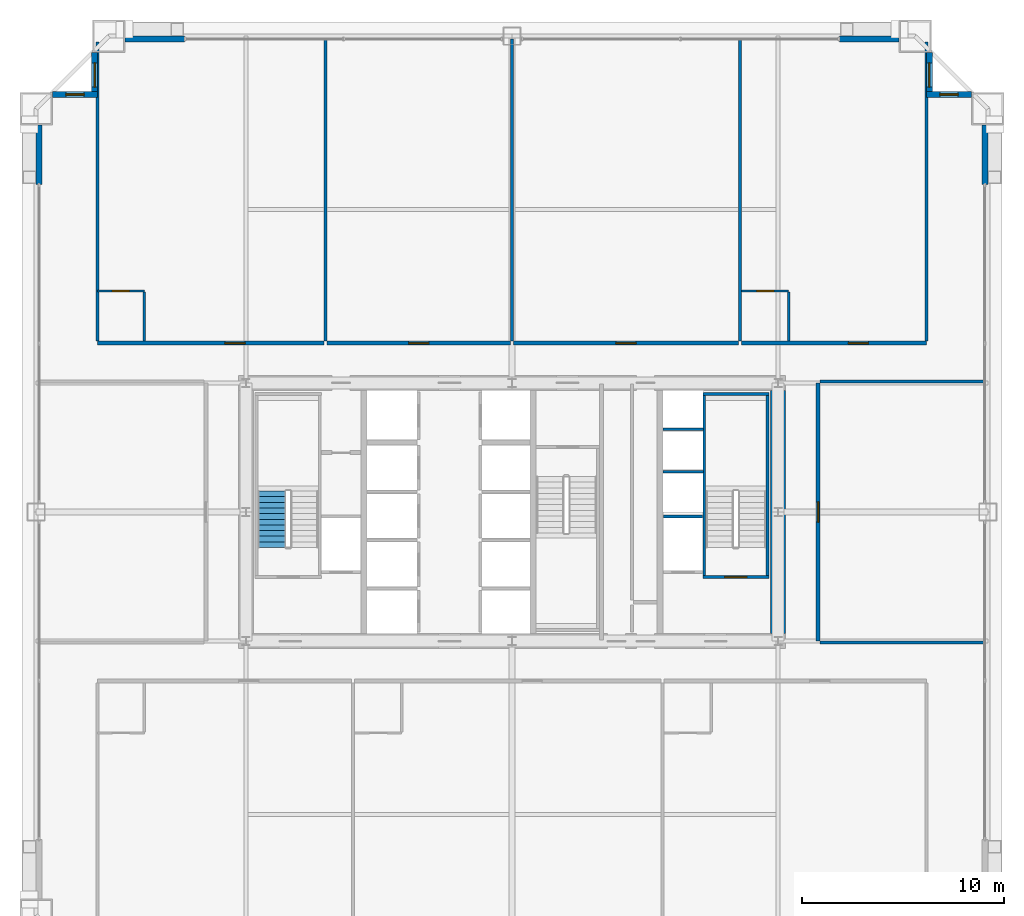
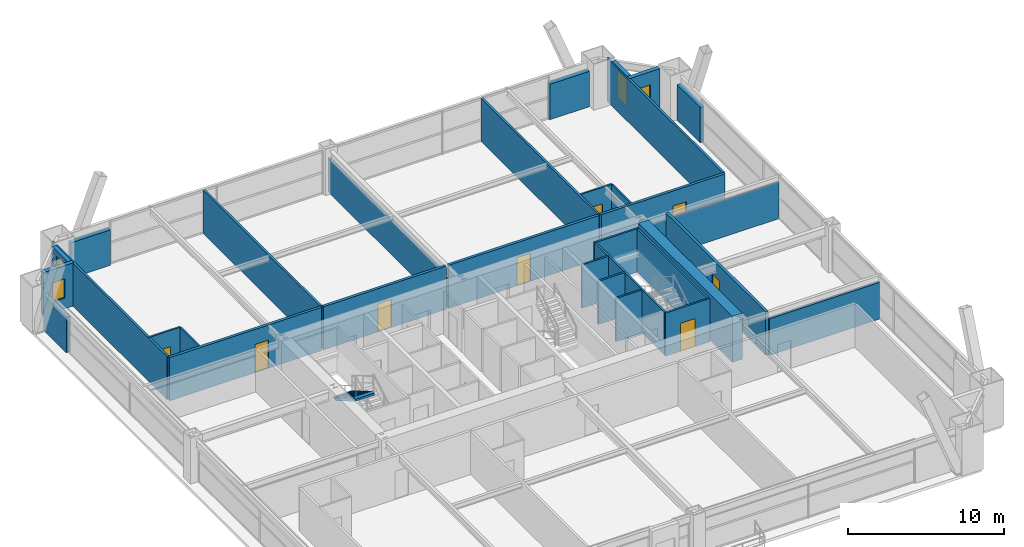
# One storey, part 41 of 43: 32 walls, 8 doors, 4 windows, 1 stair flight, 12 openings, 1 element without a shape of its own.
"""IFC4 building model written with IfcOpenShell, lengths in metres."""

from ifc_helpers import new_model, si_unit, direction, frame, frame_2d, origin, place, context, subcontext, project, spatial, polyline, rectangle, outline, extrude, source, transform, mapped, material, layer, layer_set, type_object, element, fill, aggregate, save


model = new_model("IFC4")

# Units and contexts
model_context = context("Model", 3, precision=1e-05, world=origin(), true_north=direction((0.0, 1.0)))
body_context = subcontext(model_context, "Body", "Model", "MODEL_VIEW")
ifc_project = project(units=[si_unit("LENGTHUNIT", "METRE"), si_unit("AREAUNIT", "SQUARE_METRE"), si_unit("VOLUMEUNIT", "CUBIC_METRE"), si_unit("PLANEANGLEUNIT", "RADIAN"), si_unit("MASSUNIT", "GRAM", prefix="KILO"), si_unit("THERMODYNAMICTEMPERATUREUNIT", "KELVIN"), si_unit("POWERUNIT", "WATT")], contexts=[model_context])

# Site, building, storey
site_placement = place(None, origin())
site = spatial("IfcSite", under=ifc_project, at=site_placement, CompositionType="ELEMENT")
building_placement = place(site_placement, origin())
building = spatial("IfcBuilding", under=site, at=building_placement, Name="Yuzanri Waterfront Tower", CompositionType="ELEMENT")
storey_placement = place(building_placement, frame((0.0, 0.0, 108.199951171875)))
storey = spatial("IfcBuildingStorey", under=building, at=storey_placement, Name="L28", CompositionType="ELEMENT", Elevation=108.199951171875)

# Wall, opening, door
ifc_material_1 = material(Name="Moisture-Resistant Gypsum Stud Wall", Category="gypsum")
ifc_layer_1 = layer(ifc_material_1, 0.1201171875)
ifc_layer_set_1 = layer_set([ifc_layer_1], Name="Moisture-Resistant Gypsum Stud Wall")
wall_type_1 = type_object("IfcWallType", Name="Bathroom and Kitchen Wet Partition 120", PredefinedType="PARTITIONING", material=ifc_layer_set_1)
wall_1_placement = place(storey_placement, frame((16.43994140625, 36.760009765625, 0.0), z_axis=(0.0, 0.0, 1.0), x_axis=(1.0, 0.0, 0.0)))
wall_1 = element("IfcWall", 1, at=wall_1_placement, inside=storey, type_object=wall_type_1, Name="L28 Partition UW-L28-N1-BN", PredefinedType="PARTITIONING", context=body_context, shape_type="SweptSolid", body=[
    extrude(rectangle(XDim=2.330078125, YDim=0.1201171875, at=frame_2d((1.1650390625, 0.0))), origin(), (0.0, 0.0, 1.0), 3.380126953125),
])
opening_1_placement = place(wall_1_placement, frame((0.739990234375, 0.0, 0.0)))
opening_1 = element("IfcOpeningElement", 2, at=opening_1_placement, cuts=wall_1, Name="Opening ID-0850", PredefinedType="OPENING", context=body_context, shape_type="SweptSolid", body=[
    extrude(rectangle(XDim=0.85009765625, YDim=2.10009765625, at=frame_2d((0.425048828125, 1.050048828125))), frame((0.0, 0.074951171875, 0.0), z_axis=(0.0, -1.0, 0.0), x_axis=(1.0, 0.0, 0.0)), (0.0, 0.0, 1.0), 0.14990234375),
])
ifc_material_2 = material(Name="Moisture-Resistant Lacquered Timber", Category="wood")
door_type_1 = type_object("IfcDoorType", Name="En-Suite Bathroom and Kitchen Swing Door 850x2100", OperationType="NOTDEFINED", PredefinedType="DOOR", material=ifc_material_2)
shared_shape_1 = source(origin(), body_context, "Body", "SweptSolid", [
    extrude(rectangle(XDim=0.85009765625, YDim=2.10009765625, at=frame_2d((0.425048828125, 1.050048828125))), frame((0.0, 0.02490234375, 0.0), z_axis=(0.0, -1.0, 0.0), x_axis=(1.0, 0.0, 0.0)), (0.0, 0.0, 1.0), 0.050048828125),
])
door_1_placement = place(opening_1_placement, origin())
door_1 = element("IfcDoor", 3, at=door_1_placement, inside=storey, type_object=door_type_1, Name="L28 Guest En-Suite Door", OperationType="SINGLE_SWING_LEFT", OverallHeight=2.10009765625, OverallWidth=0.85009765625, PredefinedType="DOOR", context=body_context, shape_type="MappedRepresentation", body=[
    mapped(shared_shape_1, transform((0.0, 0.0, 0.0), scale=1.0)),
])
fill(opening_1, door_1)

wall_2_placement = place(storey_placement, frame((48.387939453125, 36.760009765625, 0.0), z_axis=(0.0, 0.0, 1.0), x_axis=(1.0, 0.0, 0.0)))
wall_2 = element("IfcWall", 4, at=wall_2_placement, inside=storey, type_object=wall_type_1, Name="L28 Partition UW-L28-N4-BN", PredefinedType="PARTITIONING", context=body_context, shape_type="SweptSolid", body=[
    extrude(rectangle(XDim=2.330078125, YDim=0.1201171875, at=frame_2d((1.1650390625, 0.0))), origin(), (0.0, 0.0, 1.0), 3.380126953125),
])
opening_2_placement = place(wall_2_placement, frame((0.739990234375, 0.0, 0.0)))
opening_2 = element("IfcOpeningElement", 5, at=opening_2_placement, cuts=wall_2, Name="Opening ID-0850", PredefinedType="OPENING", context=body_context, shape_type="SweptSolid", body=[
    extrude(rectangle(XDim=0.85009765625, YDim=2.10009765625, at=frame_2d((0.425048828125, 1.050048828125))), frame((0.0, 0.074951171875, 0.0), z_axis=(0.0, -1.0, 0.0), x_axis=(1.0, 0.0, 0.0)), (0.0, 0.0, 1.0), 0.14990234375),
])
door_2_placement = place(opening_2_placement, origin())
door_2 = element("IfcDoor", 6, at=door_2_placement, inside=storey, type_object=door_type_1, Name="L28 Guest En-Suite Door", OperationType="SINGLE_SWING_LEFT", OverallHeight=2.10009765625, OverallWidth=0.85009765625, PredefinedType="DOOR", context=body_context, shape_type="MappedRepresentation", body=[
    mapped(shared_shape_1, transform((0.0, 0.0, 0.0), scale=1.0)),
])
fill(opening_2, door_2)

# Wall, opening, window
ifc_material_3 = material(Name="Honed Chongqing Dark Basalt Stone", Category="masonry")
ifc_layer_2 = layer(ifc_material_3, 0.300048828125)
ifc_layer_set_2 = layer_set([ifc_layer_2], Name="Honed Chongqing Dark Basalt Stone")
wall_type_2 = type_object("IfcWallType", Name="Bronze Rainscreen Insulated Spandrel Portal Wall 300", PredefinedType="SOLIDWALL", material=ifc_layer_set_2)
wall_3_placement = place(storey_placement, frame((16.449951171875, 46.5, 0.0), z_axis=(0.0, 0.0, 1.0), x_axis=(-1.0, 0.0, 0.0)))
wall_3 = element("IfcWall", 7, at=wall_3_placement, inside=storey, type_object=wall_type_2, Name="L28 Notched Corner Masonry Wall NW-X", PredefinedType="SOLIDWALL", context=body_context, shape_type="SweptSolid", body=[
    extrude(rectangle(XDim=2.25, YDim=0.300048828125, at=frame_2d((1.125, 0.0))), origin(), (0.0, 0.0, 1.0), 3.380126953125),
])
opening_3_placement = place(wall_3_placement, frame((0.675048828125, 0.0, 0.85009765625)))
opening_3 = element("IfcOpeningElement", 8, at=opening_3_placement, cuts=wall_3, Name="Opening WN-05", PredefinedType="OPENING", context=body_context, shape_type="SweptSolid", body=[
    extrude(rectangle(XDim=0.89990234375, YDim=1.5, at=frame_2d((0.449951171875, 0.75))), frame((0.0, 0.1650390625, 0.0), z_axis=(0.0, -1.0, 0.0), x_axis=(1.0, 0.0, 0.0)), (0.0, 0.0, 1.0), 0.329833984375),
])
ifc_material_4 = material(Name="Double-Silver Low-E Insulated Glass", Category="glass")
window_type_1 = type_object("IfcWindowType", Name="Anodized Bronze Service and Stairwell Smoke-Vent Window 900x1500", PartitioningType="SINGLE_PANEL", PredefinedType="WINDOW", material=ifc_material_4)
shared_shape_2 = source(origin(), body_context, "Body", "SweptSolid", [
    extrude(rectangle(XDim=0.89990234375, YDim=1.5, at=frame_2d((0.449951171875, 0.75))), frame((0.0, 0.030029296875, 0.0), z_axis=(0.0, -1.0, 0.0), x_axis=(1.0, 0.0, 0.0)), (0.0, 0.0, 1.0), 0.06005859375),
])
window_1_placement = place(opening_3_placement, origin())
window_1 = element("IfcWindow", 9, at=window_1_placement, inside=storey, type_object=window_type_1, Name="L28 Notched Corner Window NW-X", OverallHeight=1.5, OverallWidth=0.89990234375, PartitioningType="SINGLE_PANEL", PredefinedType="WINDOW", context=body_context, shape_type="MappedRepresentation", body=[
    mapped(shared_shape_2, transform((0.0, 0.0, 0.0), scale=1.0)),
])
fill(opening_3, window_1)

wall_4_placement = place(storey_placement, frame((16.300048828125, 48.60009765625, 0.0), z_axis=(0.0, 0.0, 1.0), x_axis=(0.0, -1.0, 0.0)))
wall_4 = element("IfcWall", 10, at=wall_4_placement, inside=storey, type_object=wall_type_2, Name="L28 Notched Corner Masonry Wall NW-Y", PredefinedType="SOLIDWALL", context=body_context, shape_type="SweptSolid", body=[
    extrude(rectangle(XDim=2.25, YDim=0.300048828125, at=frame_2d((1.125, 0.0))), origin(), (0.0, 0.0, 1.0), 3.380126953125),
])
opening_4_placement = place(wall_4_placement, frame((0.52490234375, 0.0, 0.85009765625)))
opening_4 = element("IfcOpeningElement", 11, at=opening_4_placement, cuts=wall_4, Name="Opening WN-02", PredefinedType="OPENING", context=body_context, shape_type="SweptSolid", body=[
    extrude(rectangle(XDim=1.199951171875, YDim=2.10009765625, at=frame_2d((0.60009765625, 1.050048828125))), frame((0.0, 0.1650390625, 0.0), z_axis=(0.0, -1.0, 0.0), x_axis=(1.0, 0.0, 0.0)), (0.0, 0.0, 1.0), 0.329833984375),
])
ifc_material_5 = material(Name="Double-Silver Low-E Insulated Glass", Category="glass")
window_type_2 = type_object("IfcWindowType", Name="Anodized Bronze Notched Corner Deep-Set Slot Window 1200x2100", PartitioningType="SINGLE_PANEL", PredefinedType="WINDOW", material=ifc_material_5)
shared_shape_3 = source(origin(), body_context, "Body", "SweptSolid", [
    extrude(rectangle(XDim=1.199951171875, YDim=2.10009765625, at=frame_2d((0.60009765625, 1.050048828125))), frame((0.0, 0.030029296875, 0.0), z_axis=(0.0, -1.0, 0.0), x_axis=(1.0, 0.0, 0.0)), (0.0, 0.0, 1.0), 0.06005859375),
])
window_2_placement = place(opening_4_placement, origin())
window_2 = element("IfcWindow", 12, at=window_2_placement, inside=storey, type_object=window_type_2, Name="L28 Notched Corner Window NW-Y", OverallHeight=2.10009765625, OverallWidth=1.199951171875, PartitioningType="SINGLE_PANEL", PredefinedType="WINDOW", context=body_context, shape_type="MappedRepresentation", body=[
    mapped(shared_shape_3, transform((0.0, 0.0, 0.0), scale=1.0)),
])
fill(opening_4, window_2)

wall_5_placement = place(storey_placement, frame((59.800048828125, 46.5, 0.0), z_axis=(0.0, 0.0, 1.0), x_axis=(-1.0, 0.0, 0.0)))
wall_5 = element("IfcWall", 13, at=wall_5_placement, inside=storey, type_object=wall_type_2, Name="L28 Notched Corner Masonry Wall NE-X", PredefinedType="SOLIDWALL", context=body_context, shape_type="SweptSolid", body=[
    extrude(rectangle(XDim=2.25, YDim=0.300048828125, at=frame_2d((1.125, 0.0))), origin(), (0.0, 0.0, 1.0), 3.380126953125),
])
opening_5_placement = place(wall_5_placement, frame((0.675048828125, 0.0, 0.85009765625)))
opening_5 = element("IfcOpeningElement", 14, at=opening_5_placement, cuts=wall_5, Name="Opening WN-05", PredefinedType="OPENING", context=body_context, shape_type="SweptSolid", body=[
    extrude(rectangle(XDim=0.89990234375, YDim=1.5, at=frame_2d((0.449951171875, 0.75))), frame((0.0, 0.1650390625, 0.0), z_axis=(0.0, -1.0, 0.0), x_axis=(1.0, 0.0, 0.0)), (0.0, 0.0, 1.0), 0.329833984375),
])
window_3_placement = place(opening_5_placement, origin())
window_3 = element("IfcWindow", 15, at=window_3_placement, inside=storey, type_object=window_type_1, Name="L28 Notched Corner Window NE-X", OverallHeight=1.5, OverallWidth=0.89990234375, PartitioningType="SINGLE_PANEL", PredefinedType="WINDOW", context=body_context, shape_type="MappedRepresentation", body=[
    mapped(shared_shape_2, transform((0.0, 0.0, 0.0), scale=1.0)),
])
fill(opening_5, window_3)

wall_6_placement = place(storey_placement, frame((57.699951171875, 46.35009765625, 0.0), z_axis=(0.0, 0.0, 1.0), x_axis=(0.0, 1.0, 0.0)))
wall_6 = element("IfcWall", 16, at=wall_6_placement, inside=storey, type_object=wall_type_2, Name="L28 Notched Corner Masonry Wall NE-Y", PredefinedType="SOLIDWALL", context=body_context, shape_type="SweptSolid", body=[
    extrude(rectangle(XDim=2.25, YDim=0.300048828125, at=frame_2d((1.125, 0.0))), origin(), (0.0, 0.0, 1.0), 3.380126953125),
])
opening_6_placement = place(wall_6_placement, frame((0.52490234375, 0.0, 0.85009765625)))
opening_6 = element("IfcOpeningElement", 17, at=opening_6_placement, cuts=wall_6, Name="Opening WN-02", PredefinedType="OPENING", context=body_context, shape_type="SweptSolid", body=[
    extrude(rectangle(XDim=1.199951171875, YDim=2.10009765625, at=frame_2d((0.60009765625, 1.050048828125))), frame((0.0, 0.1650390625, 0.0), z_axis=(0.0, -1.0, 0.0), x_axis=(1.0, 0.0, 0.0)), (0.0, 0.0, 1.0), 0.329833984375),
])
window_4_placement = place(opening_6_placement, origin())
window_4 = element("IfcWindow", 18, at=window_4_placement, inside=storey, type_object=window_type_2, Name="L28 Notched Corner Window NE-Y", OverallHeight=2.10009765625, OverallWidth=1.199951171875, PartitioningType="SINGLE_PANEL", PredefinedType="WINDOW", context=body_context, shape_type="MappedRepresentation", body=[
    mapped(shared_shape_3, transform((0.0, 0.0, 0.0), scale=1.0)),
])
fill(opening_6, window_4)

# Wall, opening, door
ifc_material_6 = material(Name="Concrete C40", Category="concrete")
ifc_layer_3 = layer(ifc_material_6, 0.139892578125)
ifc_layer_set_3 = layer_set([ifc_layer_3], Name="Concrete C40")
wall_type_3 = type_object("IfcWallType", Name="Core Stair Liner and Hoistway Shaft Wall 140", PredefinedType="SOLIDWALL", material=ifc_layer_set_3)
wall_7_placement = place(storey_placement, frame((46.4599609375, 22.570068359375, 0.0), z_axis=(0.0, 0.0, 1.0), x_axis=(1.0, 0.0, 0.0)))
wall_7 = element("IfcWall", 19, at=wall_7_placement, inside=storey, type_object=wall_type_3, Name="L28 Shaft Wall STW-L28-ST-02-S", PredefinedType="SOLIDWALL", context=body_context, shape_type="SweptSolid", body=[
    extrude(rectangle(XDim=3.280029296875, YDim=0.139892578125, at=frame_2d((1.64013671875, 0.0))), origin(), (0.0, 0.0, 1.0), 3.380126953125),
])
opening_7_placement = place(wall_7_placement, frame((1.090087890625, 0.0, 0.0)))
opening_7 = element("IfcOpeningElement", 20, at=opening_7_placement, cuts=wall_7, Name="Opening FD-1100", PredefinedType="OPENING", context=body_context, shape_type="SweptSolid", body=[
    extrude(rectangle(XDim=1.10009765625, YDim=2.199951171875, at=frame_2d((0.550048828125, 1.10009765625))), frame((0.0, 0.0849609375, 0.0), z_axis=(0.0, -1.0, 0.0), x_axis=(1.0, 0.0, 0.0)), (0.0, 0.0, 1.0), 0.169677734375),
])
ifc_material_7 = material(Name="Painted Galvanized Fire Steel", Category="steel")
door_type_2 = type_object("IfcDoorType", Name="Smoke-Proof Stair and Lobby Fire Door 1100x2200", OperationType="NOTDEFINED", PredefinedType="DOOR", material=ifc_material_7)
shared_shape_4 = source(origin(), body_context, "Body", "SweptSolid", [
    extrude(rectangle(XDim=1.10009765625, YDim=2.199951171875, at=frame_2d((0.550048828125, 1.10009765625))), frame((0.0, 0.02490234375, 0.0), z_axis=(0.0, -1.0, 0.0), x_axis=(1.0, 0.0, 0.0)), (0.0, 0.0, 1.0), 0.050048828125),
])
door_3_placement = place(opening_7_placement, origin())
door_3 = element("IfcDoor", 21, at=door_3_placement, inside=storey, type_object=door_type_2, Name="L28 Stair ST-02 Fire Door", OperationType="SINGLE_SWING_RIGHT", OverallHeight=2.199951171875, OverallWidth=1.10009765625, PredefinedType="DOOR", context=body_context, shape_type="MappedRepresentation", body=[
    mapped(shared_shape_4, transform((0.0, 0.0, 0.0), scale=1.0)),
])
fill(opening_7, door_3)

ifc_material_8 = material(Name="Autoclaved Aerated Concrete Blockwork", Category="masonry")
ifc_layer_4 = layer(ifc_material_8, 0.199951171875)
ifc_layer_set_4 = layer_set([ifc_layer_4], Name="Autoclaved Aerated Concrete Blockwork")
wall_type_4 = type_object("IfcWallType", Name="Corridor and Unit Party Fire Wall 200", PredefinedType="PARTITIONING", material=ifc_layer_set_4)
wall_8_placement = place(storey_placement, frame((16.43994140625, 34.179931640625, 0.0), z_axis=(0.0, 0.0, 1.0), x_axis=(1.0, 0.0, 0.0)))
wall_8 = element("IfcWall", 22, at=wall_8_placement, inside=storey, type_object=wall_type_4, Name="L28 Partition UW-L28-N1-CS", PredefinedType="PARTITIONING", context=body_context, shape_type="SweptSolid", body=[
    extrude(rectangle(XDim=11.22802734375, YDim=0.199951171875, at=frame_2d((5.614013671875, 0.0))), origin(), (0.0, 0.0, 1.0), 3.380126953125),
])
opening_8_placement = place(wall_8_placement, frame((6.319091796875, 0.0, 0.0)))
opening_8 = element("IfcOpeningElement", 23, at=opening_8_placement, cuts=wall_8, Name="Opening FD-1000", PredefinedType="OPENING", context=body_context, shape_type="SweptSolid", body=[
    extrude(rectangle(XDim=1.0, YDim=2.199951171875, at=frame_2d((0.5, 1.10009765625))), frame((0.0, 0.11474609375, 0.0), z_axis=(0.0, -1.0, 0.0), x_axis=(1.0, 0.0, 0.0)), (0.0, 0.0, 1.0), 0.229736328125),
])
ifc_material_9 = material(Name="Engineered Oak Fire-Rated Timber", Category="wood")
door_type_3 = type_object("IfcDoorType", Name="Guestroom and Apartment Entrance Fire Door 1000x2200", OperationType="NOTDEFINED", PredefinedType="DOOR", material=ifc_material_9)
shared_shape_5 = source(origin(), body_context, "Body", "SweptSolid", [
    extrude(rectangle(XDim=1.0, YDim=2.199951171875, at=frame_2d((0.5, 1.10009765625))), frame((0.0, 0.02490234375, 0.0), z_axis=(0.0, -1.0, 0.0), x_axis=(1.0, 0.0, 0.0)), (0.0, 0.0, 1.0), 0.050048828125),
])
door_4_placement = place(opening_8_placement, origin())
door_4 = element("IfcDoor", 24, at=door_4_placement, inside=storey, type_object=door_type_3, Name="L28 Cityview Executive Suite Entrance Door", OperationType="SINGLE_SWING_RIGHT", OverallHeight=2.199951171875, OverallWidth=1.0, PredefinedType="DOOR", context=body_context, shape_type="MappedRepresentation", body=[
    mapped(shared_shape_5, transform((0.0, 0.0, 0.0), scale=1.0)),
])
fill(opening_8, door_4)

wall_9_placement = place(storey_placement, frame((27.827880859375, 34.179931640625, 0.0), z_axis=(0.0, 0.0, 1.0), x_axis=(1.0, 0.0, 0.0)))
wall_9 = element("IfcWall", 25, at=wall_9_placement, inside=storey, type_object=wall_type_4, Name="L28 Partition UW-L28-N2-CS", PredefinedType="PARTITIONING", context=body_context, shape_type="SweptSolid", body=[
    extrude(rectangle(XDim=9.092041015625, YDim=0.199951171875, at=frame_2d((4.5458984375, 0.0))), origin(), (0.0, 0.0, 1.0), 3.380126953125),
])
opening_9_placement = place(wall_9_placement, frame((4.0458984375, 0.0, 0.0)))
opening_9 = element("IfcOpeningElement", 26, at=opening_9_placement, cuts=wall_9, Name="Opening FD-1000", PredefinedType="OPENING", context=body_context, shape_type="SweptSolid", body=[
    extrude(rectangle(XDim=1.0, YDim=2.199951171875, at=frame_2d((0.5, 1.10009765625))), frame((0.0, 0.11474609375, 0.0), z_axis=(0.0, -1.0, 0.0), x_axis=(1.0, 0.0, 0.0)), (0.0, 0.0, 1.0), 0.229736328125),
])
door_5_placement = place(opening_9_placement, origin())
door_5 = element("IfcDoor", 27, at=door_5_placement, inside=storey, type_object=door_type_3, Name="L28 Diplomatic Boardroom A Entrance Door", OperationType="SINGLE_SWING_RIGHT", OverallHeight=2.199951171875, OverallWidth=1.0, PredefinedType="DOOR", context=body_context, shape_type="MappedRepresentation", body=[
    mapped(shared_shape_5, transform((0.0, 0.0, 0.0), scale=1.0)),
])
fill(opening_9, door_5)

wall_10_placement = place(storey_placement, frame((37.080078125, 34.179931640625, 0.0), z_axis=(0.0, 0.0, 1.0), x_axis=(1.0, 0.0, 0.0)))
wall_10 = element("IfcWall", 28, at=wall_10_placement, inside=storey, type_object=wall_type_4, Name="L28 Partition UW-L28-N3-CS", PredefinedType="PARTITIONING", context=body_context, shape_type="SweptSolid", body=[
    extrude(rectangle(XDim=11.14794921875, YDim=0.199951171875, at=frame_2d((5.573974609375, 0.0))), origin(), (0.0, 0.0, 1.0), 3.380126953125),
])
opening_10_placement = place(wall_10_placement, frame((5.073974609375, 0.0, 0.0)))
opening_10 = element("IfcOpeningElement", 29, at=opening_10_placement, cuts=wall_10, Name="Opening FD-1000", PredefinedType="OPENING", context=body_context, shape_type="SweptSolid", body=[
    extrude(rectangle(XDim=1.0, YDim=2.199951171875, at=frame_2d((0.5, 1.10009765625))), frame((0.0, 0.11474609375, 0.0), z_axis=(0.0, -1.0, 0.0), x_axis=(1.0, 0.0, 0.0)), (0.0, 0.0, 1.0), 0.229736328125),
])
door_6_placement = place(opening_10_placement, origin())
door_6 = element("IfcDoor", 30, at=door_6_placement, inside=storey, type_object=door_type_3, Name="L28 Diplomatic Boardroom B Entrance Door", OperationType="SINGLE_SWING_LEFT", OverallHeight=2.199951171875, OverallWidth=1.0, PredefinedType="DOOR", context=body_context, shape_type="MappedRepresentation", body=[
    mapped(shared_shape_5, transform((0.0, 0.0, 0.0), scale=1.0)),
])
fill(opening_10, door_6)

wall_11_placement = place(storey_placement, frame((48.387939453125, 34.179931640625, 0.0), z_axis=(0.0, 0.0, 1.0), x_axis=(1.0, 0.0, 0.0)))
wall_11 = element("IfcWall", 31, at=wall_11_placement, inside=storey, type_object=wall_type_4, Name="L28 Partition UW-L28-N4-CS", PredefinedType="PARTITIONING", context=body_context, shape_type="SweptSolid", body=[
    extrude(rectangle(XDim=9.172119140625, YDim=0.199951171875, at=frame_2d((4.5859375, 0.0))), origin(), (0.0, 0.0, 1.0), 3.380126953125),
])
opening_11_placement = place(wall_11_placement, frame((5.291015625, 0.0, 0.0)))
opening_11 = element("IfcOpeningElement", 32, at=opening_11_placement, cuts=wall_11, Name="Opening FD-1000", PredefinedType="OPENING", context=body_context, shape_type="SweptSolid", body=[
    extrude(rectangle(XDim=1.0, YDim=2.199951171875, at=frame_2d((0.5, 1.10009765625))), frame((0.0, 0.11474609375, 0.0), z_axis=(0.0, -1.0, 0.0), x_axis=(1.0, 0.0, 0.0)), (0.0, 0.0, 1.0), 0.229736328125),
])
door_7_placement = place(opening_11_placement, origin())
door_7 = element("IfcDoor", 33, at=door_7_placement, inside=storey, type_object=door_type_3, Name="L28 Cityview Executive Suite Entrance Door", OperationType="SINGLE_SWING_RIGHT", OverallHeight=2.199951171875, OverallWidth=1.0, PredefinedType="DOOR", context=body_context, shape_type="MappedRepresentation", body=[
    mapped(shared_shape_5, transform((0.0, 0.0, 0.0), scale=1.0)),
])
fill(opening_11, door_7)

wall_12_placement = place(storey_placement, frame((52.179931640625, 19.409912109375, 0.0), z_axis=(0.0, 0.0, 1.0), x_axis=(0.0, 1.0, 0.0)))
wall_12 = element("IfcWall", 34, at=wall_12_placement, inside=storey, type_object=wall_type_4, Name="L28 Partition UW-L28-E1-CW", PredefinedType="PARTITIONING", context=body_context, shape_type="SweptSolid", body=[
    extrude(rectangle(XDim=12.780029296875, YDim=0.199951171875, at=frame_2d((6.39013671875, 0.0))), origin(), (0.0, 0.0, 1.0), 3.380126953125),
])
opening_12_placement = place(wall_12_placement, frame((5.889892578125, 0.0, 0.0)))
opening_12 = element("IfcOpeningElement", 35, at=opening_12_placement, cuts=wall_12, Name="Opening FD-1000", PredefinedType="OPENING", context=body_context, shape_type="SweptSolid", body=[
    extrude(rectangle(XDim=1.0, YDim=2.199951171875, at=frame_2d((0.5, 1.10009765625))), frame((0.0, 0.11474609375, 0.0), z_axis=(0.0, -1.0, 0.0), x_axis=(1.0, 0.0, 0.0)), (0.0, 0.0, 1.0), 0.229736328125),
])
door_8_placement = place(opening_12_placement, origin())
door_8 = element("IfcDoor", 36, at=door_8_placement, inside=storey, type_object=door_type_3, Name="L28 Executive Wellness Gym Studio Entrance Door", OperationType="SINGLE_SWING_LEFT", OverallHeight=2.199951171875, OverallWidth=1.0, PredefinedType="DOOR", context=body_context, shape_type="MappedRepresentation", body=[
    mapped(shared_shape_5, transform((0.0, 0.0, 0.0), scale=1.0)),
])
fill(opening_12, door_8)

# Walls
ifc_material_10 = material(Name="Concrete C55", Category="concrete")
ifc_layer_5 = layer(ifc_material_10, 0.75)
ifc_layer_set_5 = layer_set([ifc_layer_5], Name="Concrete C55")
wall_type_5 = type_object("IfcWallType", Name="Concrete C55 Low-Mid Zone Core Shear Wall 750", PredefinedType="SHEAR", material=ifc_layer_set_5)
shared_shape_6 = source(origin(), body_context, "Body", "SweptSolid", [
    extrude(rectangle(XDim=12.050048828125, YDim=0.75, at=frame_2d((6.02490234375, 0.0))), origin(), (0.0, 0.0, 1.0), 3.60009765625),
])
wall_13_placement = place(storey_placement, frame((50.199951171875, 19.77490234375, 0.0), z_axis=(0.0, 0.0, 1.0), x_axis=(0.0, 1.0, 0.0)))
element("IfcWall", 37, at=wall_13_placement, inside=storey, type_object=wall_type_5, Name="L28 Core East Shear Wall", PredefinedType="SHEAR", context=body_context, shape_type="MappedRepresentation", body=[
    mapped(shared_shape_6, transform((0.0, 0.0, 0.0), scale=1.0)),
])
shared_shape_7 = source(origin(), body_context, "Body", "SweptSolid", [
    extrude(rectangle(XDim=2.949951171875, YDim=0.300048828125, at=frame_2d((1.47509765625, 0.0))), origin(), (0.0, 0.0, 1.0), 2.775146484375),
])
for number, where, z_axis, x_axis, name in (
    (38, (17.800048828125, 49.25, 0.0), (0.0, 0.0, 1.0), (1.0, 0.0, 0.0), "L28 N Left Braced Masonry Shoulder"),
    (39, (53.25, 49.25, 0.0), (0.0, 0.0, 1.0), (1.0, 0.0, 0.0), "L28 N Right Braced Masonry Shoulder"),
    (40, (13.550048828125, 42.050048828125, 0.0), (0.0, 0.0, 1.0), (0.0, 1.0, 0.0), "L28 W Right Braced Masonry Shoulder"),
    (41, (60.449951171875, 42.050048828125, 0.0), (0.0, 0.0, 1.0), (0.0, 1.0, 0.0), "L28 E Right Braced Masonry Shoulder"),
):
    element("IfcWall", number, at=place(storey_placement, frame(where, z_axis=z_axis, x_axis=x_axis)), inside=storey, type_object=wall_type_2, Name=name, PredefinedType="SOLIDWALL", context=body_context, shape_type="MappedRepresentation", body=[
        mapped(shared_shape_7, transform((0.0, 0.0, 0.0), scale=1.0)),
    ])
shared_shape_8 = source(origin(), body_context, "Body", "SweptSolid", [
    extrude(rectangle(XDim=1.919921875, YDim=0.139892578125, at=frame_2d((0.9599609375, 0.0))), origin(), (0.0, 0.0, 1.0), 3.380126953125),
])
wall_14_placement = place(storey_placement, frame((44.52001953125, 25.570068359375, 0.0), z_axis=(0.0, 0.0, 1.0), x_axis=(1.0, 0.0, 0.0)))
element("IfcWall", 42, at=wall_14_placement, inside=storey, type_object=wall_type_3, Name="L28 Lift FL-02 Back Shaft Wall", PredefinedType="SOLIDWALL", context=body_context, shape_type="MappedRepresentation", body=[
    mapped(shared_shape_8, transform((0.0, 0.0, 0.0), scale=1.0)),
])
shared_shape_9 = source(origin(), body_context, "Body", "SweptSolid", [
    extrude(rectangle(XDim=2.0, YDim=0.139892578125, at=frame_2d((1.0, 0.0))), origin(), (0.0, 0.0, 1.0), 3.380126953125),
])
for number, where, z_axis, x_axis, name in (
    (43, (44.5, 27.800048828125, 0.0), (0.0, 0.0, 1.0), (1.0, 0.0, 0.0), "L28 Lift PL-09 Divider Wall"),
    (44, (44.5, 29.89990234375, 0.0), (0.0, 0.0, 1.0), (1.0, 0.0, 0.0), "L28 Lift PL-10 Divider Wall"),
):
    element("IfcWall", number, at=place(storey_placement, frame(where, z_axis=z_axis, x_axis=x_axis)), inside=storey, type_object=wall_type_3, Name=name, PredefinedType="SOLIDWALL", context=body_context, shape_type="MappedRepresentation", body=[
        mapped(shared_shape_9, transform((0.0, 0.0, 0.0), scale=1.0)),
    ])
shared_shape_10 = source(origin(), body_context, "Body", "SweptSolid", [
    extrude(rectangle(XDim=3.280029296875, YDim=0.139892578125, at=frame_2d((1.64013671875, 0.0))), origin(), (0.0, 0.0, 1.0), 3.380126953125),
])
wall_15_placement = place(storey_placement, frame((46.4599609375, 31.64990234375, 0.0), z_axis=(0.0, 0.0, 1.0), x_axis=(1.0, 0.0, 0.0)))
element("IfcWall", 45, at=wall_15_placement, inside=storey, type_object=wall_type_3, Name="L28 Stair ST-02 North Shaft Wall", PredefinedType="SOLIDWALL", context=body_context, shape_type="MappedRepresentation", body=[
    mapped(shared_shape_10, transform((0.0, 0.0, 0.0), scale=1.0)),
])
shared_shape_11 = source(origin(), body_context, "Body", "SweptSolid", [
    extrude(rectangle(XDim=8.940185546875, YDim=0.139892578125, at=frame_2d((4.47021484375, 0.0))), origin(), (0.0, 0.0, 1.0), 3.380126953125),
])
for number, where, z_axis, x_axis, name in (
    (46, (46.530029296875, 22.639892578125, 0.0), (0.0, 0.0, 1.0), (0.0, 1.0, 0.0), "L28 Stair ST-02 West Shaft Wall"),
    (47, (49.669921875, 22.639892578125, 0.0), (0.0, 0.0, 1.0), (0.0, 1.0, 0.0), "L28 Stair ST-02 East Shaft Wall"),
):
    element("IfcWall", number, at=place(storey_placement, frame(where, z_axis=z_axis, x_axis=x_axis)), inside=storey, type_object=wall_type_3, Name=name, PredefinedType="SOLIDWALL", context=body_context, shape_type="MappedRepresentation", body=[
        mapped(shared_shape_11, transform((0.0, 0.0, 0.0), scale=1.0)),
    ])
shared_shape_12 = source(origin(), body_context, "Body", "SweptSolid", [
    extrude(rectangle(XDim=2.419921875, YDim=0.1201171875, at=frame_2d((1.2099609375, 0.0))), origin(), (0.0, 0.0, 1.0), 3.380126953125),
])
for number, where, z_axis, x_axis, name in (
    (48, (18.77001953125, 34.280029296875, 0.0), (0.0, 0.0, 1.0), (0.0, 1.0, 0.0), "L28-N1 En-Suite Side Wall"),
    (49, (50.718017578125, 34.280029296875, 0.0), (0.0, 0.0, 1.0), (0.0, 1.0, 0.0), "L28-N4 En-Suite Side Wall"),
):
    element("IfcWall", number, at=place(storey_placement, frame(where, z_axis=z_axis, x_axis=x_axis)), inside=storey, type_object=wall_type_1, Name=name, PredefinedType="PARTITIONING", context=body_context, shape_type="MappedRepresentation", body=[
        mapped(shared_shape_12, transform((0.0, 0.0, 0.0), scale=1.0)),
    ])
ifc_material_11 = material(Name="Gypsum Fireboard Acoustic Stud Wall", Category="gypsum")
ifc_layer_6 = layer(ifc_material_11, 0.159912109375)
ifc_layer_set_6 = layer_set([ifc_layer_6], Name="Gypsum Fireboard Acoustic Stud Wall")
wall_type_6 = type_object("IfcWallType", Name="Acoustic Suite Demising Partition 160", PredefinedType="PARTITIONING", material=ifc_layer_set_6)
shared_shape_13 = source(origin(), body_context, "Body", "SweptSolid", [
    extrude(rectangle(XDim=14.969970703125, YDim=0.159912109375, at=frame_2d((7.48486328125, 0.0))), origin(), (0.0, 0.0, 1.0), 3.380126953125),
])
for number, where, z_axis, x_axis, name in (
    (50, (27.748046875, 34.280029296875, 0.0), (0.0, 0.0, 1.0), (0.0, 1.0, 0.0), "L28-N1 Party Wall"),
    (51, (48.30810546875, 34.280029296875, 0.0), (0.0, 0.0, 1.0), (0.0, 1.0, 0.0), "L28-N3 Party Wall"),
):
    element("IfcWall", number, at=place(storey_placement, frame(where, z_axis=z_axis, x_axis=x_axis)), inside=storey, type_object=wall_type_6, Name=name, PredefinedType="PARTITIONING", context=body_context, shape_type="MappedRepresentation", body=[
        mapped(shared_shape_13, transform((0.0, 0.0, 0.0), scale=1.0)),
    ])
shared_shape_14 = source(origin(), body_context, "Body", "SweptSolid", [
    extrude(rectangle(XDim=14.820068359375, YDim=0.159912109375, at=frame_2d((7.41015625, 0.0))), origin(), (0.0, 0.0, 1.0), 3.380126953125),
])
for number, where, z_axis, x_axis, name in (
    (52, (16.449951171875, 34.280029296875, 0.0), (0.0, 0.0, 1.0), (0.0, 1.0, 0.0), "L28 North Band West End Wall"),
    (53, (57.550048828125, 34.280029296875, 0.0), (0.0, 0.0, 1.0), (0.0, 1.0, 0.0), "L28 North Band East End Wall"),
):
    element("IfcWall", number, at=place(storey_placement, frame(where, z_axis=z_axis, x_axis=x_axis)), inside=storey, type_object=wall_type_6, Name=name, PredefinedType="PARTITIONING", context=body_context, shape_type="MappedRepresentation", body=[
        mapped(shared_shape_14, transform((0.0, 0.0, 0.0), scale=1.0)),
    ])
shared_shape_15 = source(origin(), body_context, "Body", "SweptSolid", [
    extrude(rectangle(XDim=8.169921875, YDim=0.159912109375, at=frame_2d((4.0849609375, 0.0))), origin(), (0.0, 0.0, 1.0), 2.875),
])
for number, where, z_axis, x_axis, name in (
    (54, (52.280029296875, 19.330078125, 0.0), (0.0, 0.0, 1.0), (1.0, 0.0, 0.0), "L28-E1 Wing South End Wall"),
    (55, (52.280029296875, 32.27001953125, 0.0), (0.0, 0.0, 1.0), (1.0, 0.0, 0.0), "L28-E1 Wing North End Wall"),
):
    element("IfcWall", number, at=place(storey_placement, frame(where, z_axis=z_axis, x_axis=x_axis)), inside=storey, type_object=wall_type_6, Name=name, PredefinedType="PARTITIONING", context=body_context, shape_type="MappedRepresentation", body=[
        mapped(shared_shape_15, transform((0.0, 0.0, 0.0), scale=1.0)),
    ])
shared_shape_16 = source(origin(), body_context, "Body", "SweptSolid", [
    extrude(rectangle(XDim=14.969970703125, YDim=0.159912109375, at=frame_2d((7.48486328125, 0.0))), origin(), (0.0, 0.0, 1.0), 2.675048828125),
])
wall_16_placement = place(storey_placement, frame((37.0, 34.280029296875, 0.0), z_axis=(0.0, 0.0, 1.0), x_axis=(0.0, 1.0, 0.0)))
element("IfcWall", 56, at=wall_16_placement, inside=storey, type_object=wall_type_6, Name="L28-N2 Party Wall", PredefinedType="PARTITIONING", context=body_context, shape_type="MappedRepresentation", body=[
    mapped(shared_shape_16, transform((0.0, 0.0, 0.0), scale=1.0)),
])

# Stair, stair flight
ifc_material_12 = material(Name="Concrete C40", Category="concrete")
stair_type = type_object("IfcStairType", Name="Concrete C40 Core Dogleg Exit Stair", PredefinedType="HALF_TURN_STAIR", material=ifc_material_12)
stair_placement = place(storey_placement, origin())
stair = element("IfcStair", 57, at=stair_placement, inside=storey, type_object=stair_type, Name="L28 Smoke-Proof Core Stair ST-01", PredefinedType="HALF_TURN_STAIR")
ifc_material_13 = material(Name="Concrete C40", Category="concrete")
stair_flight_type = type_object("IfcStairFlightType", Name="Concrete C40 Precast Stair Flight 1380", PredefinedType="STRAIGHT", material=ifc_material_13)
shared_shape_17 = source(origin(), body_context, "Body", "SweptSolid", [
    extrude(outline(polyline([(0.0, 0.0), (0.0, 0.16357421875), (0.280029296875, 0.16357421875), (0.280029296875, 0.327392578125), (0.56005859375, 0.327392578125), (0.56005859375, 0.490966796875), (0.840087890625, 0.490966796875), (0.840087890625, 0.654541015625), (1.1201171875, 0.654541015625), (1.1201171875, 0.818115234375), (1.39990234375, 0.818115234375), (1.39990234375, 0.98193359375), (1.679931640625, 0.98193359375), (1.679931640625, 1.1455078125), (1.9599609375, 1.1455078125), (1.9599609375, 1.30908203125), (2.239990234375, 1.30908203125), (2.239990234375, 1.47265625), (2.52001953125, 1.47265625), (2.52001953125, 1.636474609375), (2.800048828125, 1.636474609375), (2.800048828125, 1.800048828125), (2.800048828125, 1.462646484375), (0.297119140625, 0.0), (0.0, 0.0)])), frame((0.0, 0.699951171875, 0.0), z_axis=(0.0, -1.0, 0.0), x_axis=(1.0, 0.0, 0.0)), (0.0, 0.0, 1.0), 1.39990234375),
])
stair_flight_placement = place(storey_placement, frame((25.10009765625, 26.840087890625, 1.800048828125), z_axis=(0.0, 0.0, 1.0), x_axis=(0.0, -1.0, 0.0)))
stair_flight = element("IfcStairFlight", 58, at=stair_flight_placement, type_object=stair_flight_type, Name="ST-01 flight 2", NumberOfRisers=11, NumberOfTreads=10, PredefinedType="STRAIGHT", RiserHeight=0.163636364, TreadLength=0.28, context=body_context, shape_type="MappedRepresentation", body=[
    mapped(shared_shape_17, transform((0.0, 0.0, 0.0), scale=1.0)),
])
aggregate(stair, [stair_flight])

save(model, "model.ifc")
